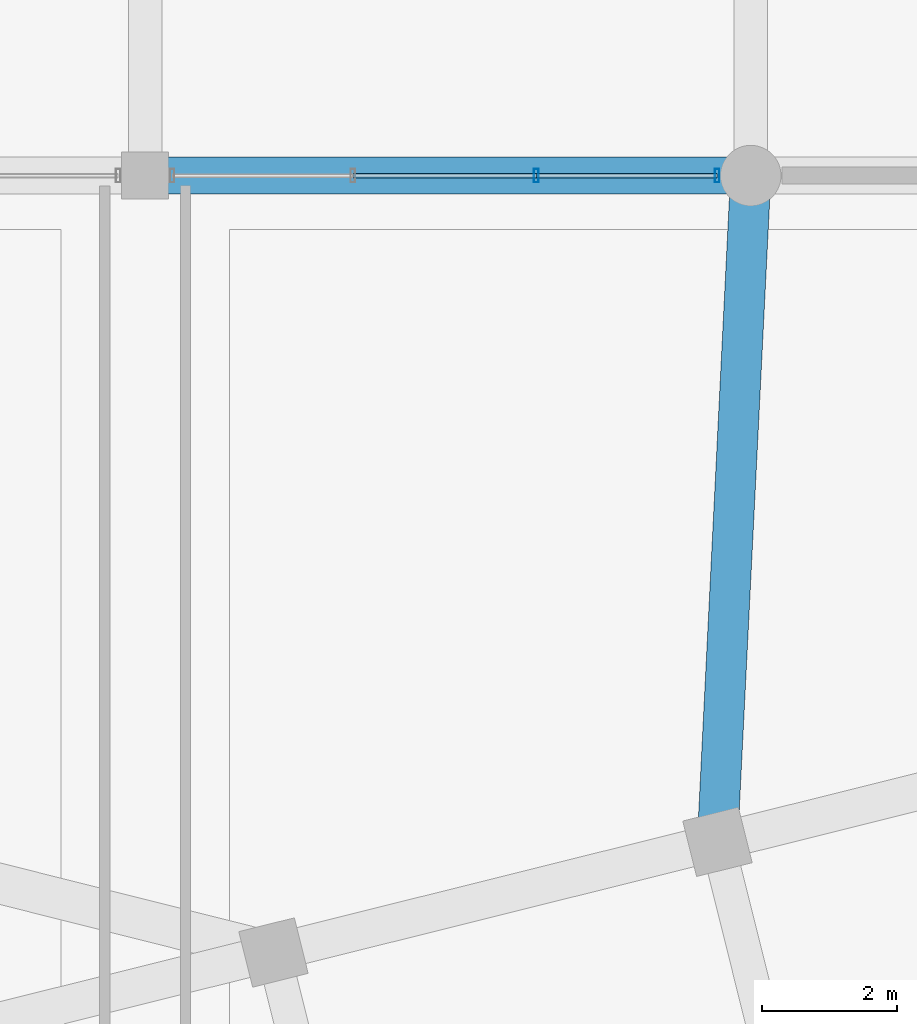
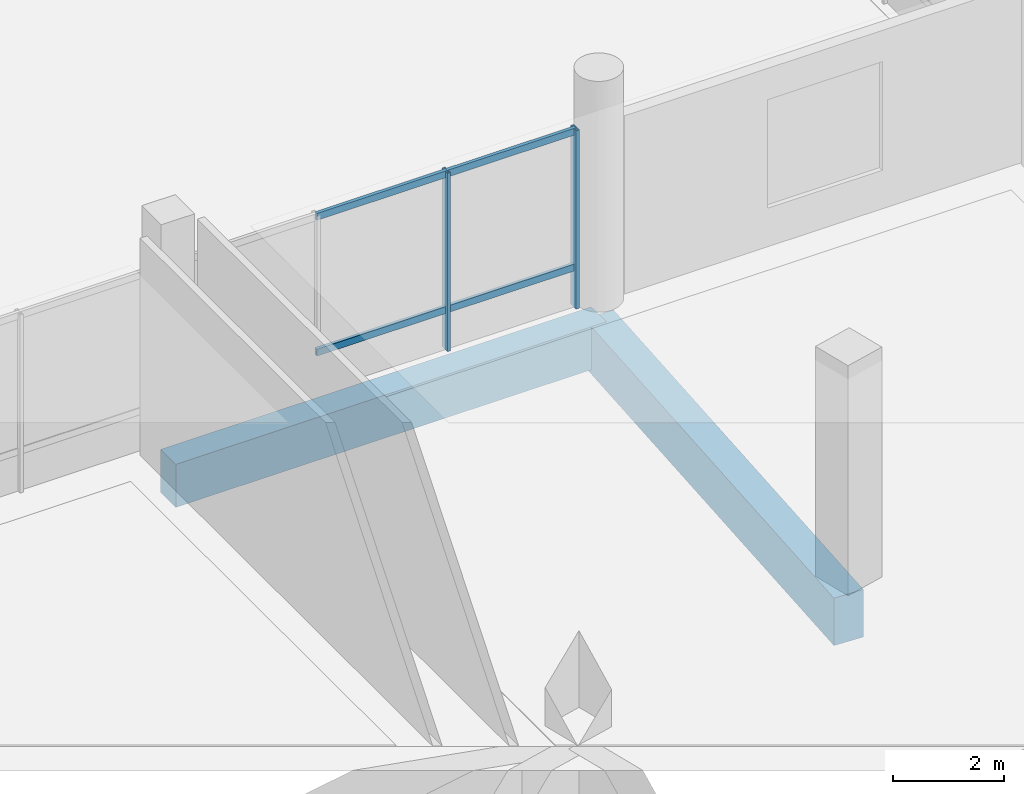
# One storey, part 33 of 73: 6 members, 2 beams, 1 element without a shape of its own.
"""IFC4 building model written with IfcOpenShell, lengths in metres."""

from ifc_helpers import new_model, si_unit, direction, frame, origin, origin_2d, place, context, subcontext, project, spatial, rectangle, hollow_rectangle, extrude, material, layer, layer_set, material_profile, profile_set, type_object, element, aggregate, save


model = new_model("IFC4")

# Units and contexts
model_context = context("Model", 3, precision=1e-05, world=origin(), true_north=direction((0.0, 1.0)))
body_context = subcontext(model_context, "Body", "Model", "MODEL_VIEW")
ifc_project = project(units=[si_unit("LENGTHUNIT", "METRE"), si_unit("AREAUNIT", "SQUARE_METRE"), si_unit("VOLUMEUNIT", "CUBIC_METRE"), si_unit("PLANEANGLEUNIT", "RADIAN"), si_unit("MASSUNIT", "GRAM", prefix="KILO")], contexts=[model_context])

# Site, building, storey
site_placement = place(None, origin())
site = spatial("IfcSite", under=ifc_project, at=site_placement, CompositionType="ELEMENT")
building_placement = place(site_placement, origin())
building = spatial("IfcBuilding", under=site, at=building_placement, Name="Meriwether Solvik Hall", CompositionType="ELEMENT")
storey_placement = place(building_placement, origin())
storey = spatial("IfcBuildingStorey", under=building, at=storey_placement, Name="L00", CompositionType="ELEMENT", Elevation=0.0)

# Beams
ifc_material_1 = material(Name="Concrete C40/50", Category="concrete")
ifc_material_profile_1 = material_profile(ifc_material_1, rectangle(XDim=0.550048828125, YDim=0.949951171875, at=origin_2d()), Name="RCB-550X950")
ifc_profile_set_1 = profile_set([ifc_material_profile_1], Name="Concrete C40/50")
beam_type_1 = type_object("IfcBeamType", Name="BM-RC-550X950", PredefinedType="BEAM", material=ifc_profile_set_1)
beam_1_placement = place(storey_placement, frame((86.800048828125, 92.800048828125, -0.8349609375), z_axis=(1.0, 0.0, 0.0), x_axis=(0.0, 1.0, 0.0)))
element("IfcBeam", 1, at=beam_1_placement, inside=storey, type_object=beam_type_1, Name="Podium Girder K:10-11 (L00)", PredefinedType="BEAM", context=body_context, shape_type="SweptSolid", body=[
    extrude(rectangle(XDim=0.550048828125, YDim=0.949951171875, at=origin_2d()), origin(), (0.0, 0.0, 1.0), 9.0),
])
ifc_material_2 = material(Name="Concrete C40/50", Category="concrete")
ifc_material_profile_2 = material_profile(ifc_material_2, rectangle(XDim=0.60009765625, YDim=1.050048828125, at=origin_2d()), Name="RCB-600X1050")
ifc_profile_set_2 = profile_set([ifc_material_profile_2], Name="Concrete C40/50")
beam_type_2 = type_object("IfcBeamType", Name="BM-RC-600X1050", PredefinedType="BEAM", material=ifc_profile_set_2)
beam_2_placement = place(storey_placement, frame((95.305419921875, 82.899169921875, -0.885009765625), z_axis=(0.049895854105, 0.998754426144, 0.0), x_axis=(-0.998754426144, 0.049895854105, 0.0)))
element("IfcBeam", 2, at=beam_2_placement, inside=storey, type_object=beam_type_2, Name="Diaphragm Collector Girder T6/TF-11/K (L00)", PredefinedType="BEAM", context=body_context, shape_type="SweptSolid", body=[
    extrude(rectangle(XDim=0.60009765625, YDim=1.050048828125, at=origin_2d()), origin(), (0.0, 0.0, 1.0), 9.913330078125),
])

# Curtain wall, members
ifc_material_3 = material(Name="Thermally Broken Anodised Aluminium 6063-T6 and Low-E Glass", Category="aluminium")
ifc_layer = layer(ifc_material_3, 0.179931640625)
ifc_layer_set = layer_set([ifc_layer], Name="Thermally Broken Anodised Aluminium 6063-T6 and Low-E Glass")
curtain_wall_type = type_object("IfcCurtainWallType", Name="CW-SF-POD-A", PredefinedType="USERDEFINED", material=ifc_layer_set)
curtain_wall_placement = place(storey_placement, origin())
curtain_wall = element("IfcCurtainWall", 3, at=curtain_wall_placement, inside=storey, type_object=curtain_wall_type, Name="Curtain Wall wing_XK_10_25 (L00)", ObjectType="STICK STOREFRONT GLAZING", PredefinedType="USERDEFINED")
ifc_material_4 = material(Name="Anodised Aluminium 6063-T6", Category="aluminium")
ifc_material_profile_3 = material_profile(ifc_material_4, hollow_rectangle(XDim=0.070068359375, YDim=0.199951171875, WallThickness=0.0048828125, at=origin_2d()), Name="CWM-70X200")
ifc_profile_set_3 = profile_set([ifc_material_profile_3], Name="Anodised Aluminium 6063-T6")
member_type_1 = type_object("IfcMemberType", Name="CW-MUL-70X200", PredefinedType="MULLION", material=ifc_profile_set_3)
member_1_placement = place(storey_placement, frame((92.612548828125, 92.800048828125, 0.0), z_axis=(0.0, 0.0, 1.0), x_axis=(1.0, 0.0, 0.0)))
member_1 = element("IfcMember", 4, at=member_1_placement, type_object=member_type_1, Name="Curtain Wall Mullion 3", PredefinedType="MULLION", context=body_context, shape_type="SweptSolid", body=[
    extrude(hollow_rectangle(XDim=0.070068359375, YDim=0.199951171875, WallThickness=0.0048828125, at=origin_2d()), origin(), (0.0, 0.0, 1.0), 3.93994140625),
])
member_2_placement = place(storey_placement, frame((95.300048828125, 92.800048828125, 0.0), z_axis=(0.0, 0.0, 1.0), x_axis=(1.0, 0.0, 0.0)))
member_2 = element("IfcMember", 5, at=member_2_placement, type_object=member_type_1, Name="Curtain Wall Mullion 4", PredefinedType="MULLION", context=body_context, shape_type="SweptSolid", body=[
    extrude(hollow_rectangle(XDim=0.070068359375, YDim=0.199951171875, WallThickness=0.0048828125, at=origin_2d()), origin(), (0.0, 0.0, 1.0), 3.93994140625),
])
ifc_material_5 = material(Name="Anodised Aluminium 6063-T6", Category="aluminium")
ifc_material_profile_4 = material_profile(ifc_material_5, hollow_rectangle(XDim=0.070068359375, YDim=0.14990234375, WallThickness=0.0048828125, at=origin_2d()), Name="CWT-70X150")
ifc_profile_set_4 = profile_set([ifc_material_profile_4], Name="Anodised Aluminium 6063-T6")
member_type_2 = type_object("IfcMemberType", Name="CW-TRN-70X150", PredefinedType="USERDEFINED", material=ifc_profile_set_4)
member_3_placement = place(storey_placement, frame((89.887451171875, 92.800048828125, 0.8798828125), z_axis=(1.0, 0.0, 0.0), x_axis=(0.0, 1.0, 0.0)))
member_3 = element("IfcMember", 6, at=member_3_placement, type_object=member_type_2, Name="Curtain Wall Transom 2-sill", ObjectType="TRANSOM", PredefinedType="USERDEFINED", context=body_context, shape_type="SweptSolid", body=[
    extrude(hollow_rectangle(XDim=0.070068359375, YDim=0.14990234375, WallThickness=0.0048828125, at=origin_2d()), origin(), (0.0, 0.0, 1.0), 2.72509765625),
])
member_4_placement = place(storey_placement, frame((89.887451171875, 92.800048828125, 3.8798828125), z_axis=(1.0, 0.0, 0.0), x_axis=(0.0, 1.0, 0.0)))
member_4 = element("IfcMember", 7, at=member_4_placement, type_object=member_type_2, Name="Curtain Wall Transom 2-head", ObjectType="TRANSOM", PredefinedType="USERDEFINED", context=body_context, shape_type="SweptSolid", body=[
    extrude(hollow_rectangle(XDim=0.070068359375, YDim=0.14990234375, WallThickness=0.0048828125, at=origin_2d()), origin(), (0.0, 0.0, 1.0), 2.72509765625),
])
member_5_placement = place(storey_placement, frame((92.612548828125, 92.800048828125, 0.8798828125), z_axis=(1.0, 0.0, 0.0), x_axis=(0.0, 1.0, 0.0)))
member_5 = element("IfcMember", 8, at=member_5_placement, type_object=member_type_2, Name="Curtain Wall Transom 3-sill", ObjectType="TRANSOM", PredefinedType="USERDEFINED", context=body_context, shape_type="SweptSolid", body=[
    extrude(hollow_rectangle(XDim=0.070068359375, YDim=0.14990234375, WallThickness=0.0048828125, at=origin_2d()), origin(), (0.0, 0.0, 1.0), 2.6875),
])
member_6_placement = place(storey_placement, frame((92.612548828125, 92.800048828125, 3.8798828125), z_axis=(1.0, 0.0, 0.0), x_axis=(0.0, 1.0, 0.0)))
member_6 = element("IfcMember", 9, at=member_6_placement, type_object=member_type_2, Name="Curtain Wall Transom 3-head", ObjectType="TRANSOM", PredefinedType="USERDEFINED", context=body_context, shape_type="SweptSolid", body=[
    extrude(hollow_rectangle(XDim=0.070068359375, YDim=0.14990234375, WallThickness=0.0048828125, at=origin_2d()), origin(), (0.0, 0.0, 1.0), 2.6875),
])
aggregate(curtain_wall, [member_1, member_2, member_3, member_4, member_5, member_6])

save(model, "model.ifc")
